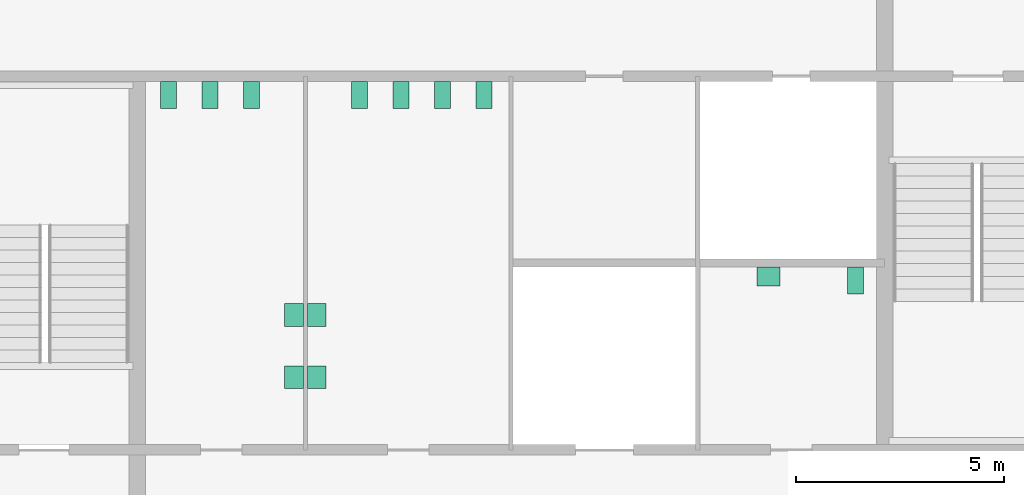
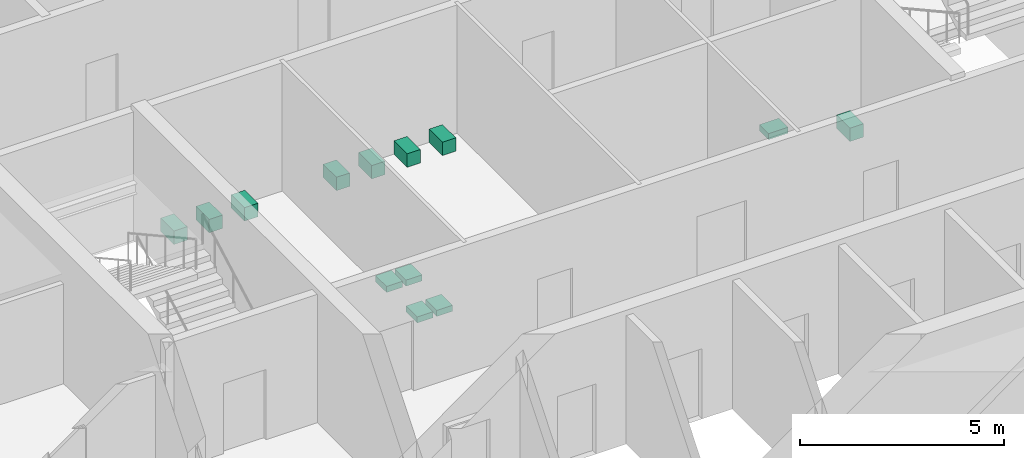
# One storey, part 12 of 12: 13 sanitary terminals.
"""IFC4 building model written with IfcOpenShell, lengths in metres."""

import ifcopenshell
import ifcopenshell.guid

model = None  # the IFC model being written
_history = None  # IfcOwnerHistory: only IFC2X3 demands one
_inside = {}  # id of a spatial element -> (the spatial element, [elements in it])
_under = {}  # id of a project, library or spatial element -> (it, [spatial elements below it])
_declared = {}  # id of a project -> (the project, [libraries it declares])
_typed = {}  # id of a type object -> (the type object, [elements of that type])
_made_of = {}  # id of a material, layer set ... -> (it, [elements and type objects made of it])


def new_model(schema):
    """Start an empty IFC model of exactly this schema.

    Asked for "IFC4X3", IfcOpenShell would pick the latest addendum, in which some entities
    have other attributes; the version numbers below select the first issue.
    IFC2X3 requires an IfcOwnerHistory on every rooted entity: one is made here for all.
    """
    global model, _history
    if schema == "IFC4X3":
        model = ifcopenshell.file(schema_version=(4, 3, 0, 0))
    else:
        model = ifcopenshell.file(schema=schema)
    _inside.clear()
    _under.clear()
    _declared.clear()
    _typed.clear()
    _made_of.clear()
    _history = None
    if model.schema == "IFC2X3":
        org = make("IfcOrganization", Name="unknown")
        user = make(
            "IfcPersonAndOrganization",
            ThePerson=make("IfcPerson", FamilyName="unknown"),
            TheOrganization=org,
        )
        app = make(
            "IfcApplication",
            ApplicationDeveloper=org,
            Version="unknown",
            ApplicationFullName="unknown",
            ApplicationIdentifier="unknown",
        )
        _history = make(
            "IfcOwnerHistory",
            OwningUser=user,
            OwningApplication=app,
            ChangeAction="ADDED",
            CreationDate=0,
        )
    return model


def make(cls, **values):
    """One entity of the class cls with the attributes given. An attribute that is None is left unset."""
    return model.create_entity(
        cls, **{name: value for name, value in values.items() if value is not None}
    )


def rooted(cls, **values):
    """An entity with a GlobalId (a new one), such as an element, a storey or a relation."""
    return make(cls, GlobalId=ifcopenshell.guid.new(), OwnerHistory=_history, **values)


def si_unit(unit_type, name, prefix=None):
    """IfcSIUnit, for example si_unit("LENGTHUNIT", "METRE", prefix="MILLI")."""
    return make("IfcSIUnit", UnitType=unit_type, Prefix=prefix, Name=name)


def assignment(units):
    """IfcUnitAssignment: the units of a project."""
    return None if units is None else make("IfcUnitAssignment", Units=units)


def point(xyz):
    """IfcCartesianPoint."""
    return None if xyz is None else make("IfcCartesianPoint", Coordinates=xyz)


def direction(xyz):
    """IfcDirection."""
    return None if xyz is None else make("IfcDirection", DirectionRatios=xyz)


def frame(location, z_axis=None, x_axis=None):
    """IfcAxis2Placement3D, a coordinate frame: its origin and axes. An axis left out is left unset."""
    return make(
        "IfcAxis2Placement3D",
        Location=point(location),
        Axis=direction(z_axis),
        RefDirection=direction(x_axis),
    )


def frame_2d(location, x_axis=None):
    """IfcAxis2Placement2D, a coordinate frame in the plane: its origin and x axis."""
    return make(
        "IfcAxis2Placement2D", Location=point(location), RefDirection=direction(x_axis)
    )


def origin():
    """The frame at (0, 0, 0) with its axes left unset."""
    return frame((0.0, 0.0, 0.0))


def origin_2d():
    """The frame at (0, 0) in the plane with its x axis left unset."""
    return frame_2d((0.0, 0.0))


def place(relative_to, where):
    """IfcLocalPlacement: puts the frame where relative to a parent placement (None: the world)."""
    return make(
        "IfcLocalPlacement", PlacementRelTo=relative_to, RelativePlacement=where
    )


def context(
    kind, dimensions, precision=None, world=None, true_north=None, identifier=None
):
    """IfcGeometricRepresentationContext, for example the 3D "Model" context."""
    return make(
        "IfcGeometricRepresentationContext",
        ContextIdentifier=identifier,
        ContextType=kind,
        CoordinateSpaceDimension=dimensions,
        Precision=precision,
        WorldCoordinateSystem=world,
        TrueNorth=true_north,
    )


def subcontext(parent, identifier, kind, view, scale=None):
    """IfcGeometricRepresentationSubContext, for example "Body" below "Model"."""
    return make(
        "IfcGeometricRepresentationSubContext",
        ContextIdentifier=identifier,
        ContextType=kind,
        ParentContext=parent,
        TargetScale=scale,
        TargetView=view,
    )


def project(units=None, contexts=None):
    """IfcProject with its units and contexts."""
    return rooted(
        "IfcProject",
        Name="project",
        RepresentationContexts=contexts,
        UnitsInContext=assignment(units),
    )


def spatial(cls, under=None, at=None, **own):
    """A site, building, storey or space (cls), placed at a placement, below another one or the project."""
    s = rooted(cls, ObjectPlacement=at, **own)
    if under is not None:
        _under.setdefault(under.id(), (under, []))[1].append(s)
    return s


def profile(cls, at=None, kind="AREA", **sizes):
    """A parametric profile (cls). Its sizes go by their IFC names, for example OverallWidth=200.0."""
    return make(cls, ProfileType=kind, Position=at, **sizes)


def rectangle(**sizes):
    """IfcRectangleProfileDef."""
    return profile("IfcRectangleProfileDef", **sizes)


def extrude(swept, where, along, depth):
    """IfcExtrudedAreaSolid: the profile swept, set in the frame where, extruded along a direction by depth."""
    return make(
        "IfcExtrudedAreaSolid",
        SweptArea=swept,
        Position=where,
        ExtrudedDirection=direction(along),
        Depth=depth,
    )


def shape(context_of_items, identifier, shape_type, items):
    """IfcShapeRepresentation: the items that make up one representation, for example the "Body"."""
    return make(
        "IfcShapeRepresentation",
        ContextOfItems=context_of_items,
        RepresentationIdentifier=identifier,
        RepresentationType=shape_type,
        Items=items,
    )


def material(Name=None, Category=None):
    """IfcMaterial."""
    return make("IfcMaterial", Name=Name, Category=Category)


def made_of(thing, what):
    """Note that an element or type object is made of a material, layer set ...; save() writes the relation."""
    if what is not None:
        _made_of.setdefault(what.id(), (what, []))[1].append(thing)
    return thing


def type_object(cls, material=None, **own):
    """A type object (cls), such as IfcWallType, which elements share."""
    return made_of(rooted(cls, **own), material)


def element(
    cls,
    number,
    at=None,
    inside=None,
    cuts=None,
    type_object=None,
    material=None,
    context=None,
    identifier="Body",
    shape_type=None,
    held_by="IfcProductDefinitionShape",
    body=None,
    shapes=None,
    **own,
):
    """One element of the class cls, such as IfcWall. Its Tag is "e" and its number.

    at: its placement. inside: the storey or other place that contains it. cuts: it is an
    opening in that element (IfcRelVoidsElement). A single representation is given by context,
    identifier, shape_type and body (its items); several are given by shapes. held_by: the class
    of the entity that holds the representations. save() writes the other relations.
    """
    e = rooted(cls, Tag="e%d" % number, ObjectPlacement=at, **own)
    if body is not None:
        shapes = [shape(context, identifier, shape_type, body)]
    if shapes is not None:
        e.Representation = make(held_by, Representations=shapes)
    if inside is not None:
        _inside.setdefault(inside.id(), (inside, []))[1].append(e)
    if cuts is not None:
        rooted(
            "IfcRelVoidsElement", RelatingBuildingElement=cuts, RelatedOpeningElement=e
        )
    if type_object is not None:
        _typed.setdefault(type_object.id(), (type_object, []))[1].append(e)
    return made_of(e, material)


def aggregate(whole, parts):
    """IfcRelAggregates: a whole, such as a stair, and the parts it consists of."""
    return rooted("IfcRelAggregates", RelatingObject=whole, RelatedObjects=parts)


def save(model, path):
    """Write the relations noted so far, then the file.

    IfcRelAggregates (storeys below a building ...), IfcRelContainedInSpatialStructure (elements
    in a storey), IfcRelDefinesByType, IfcRelAssociatesMaterial and IfcRelDeclares: one each for
    every whole, place, type object, material and project.
    """
    for whole, parts in _under.values():
        aggregate(whole, parts)
    for where, things in _inside.values():
        rooted(
            "IfcRelContainedInSpatialStructure",
            RelatedElements=things,
            RelatingStructure=where,
        )
    for kind, things in _typed.values():
        rooted("IfcRelDefinesByType", RelatedObjects=things, RelatingType=kind)
    for what, things in _made_of.values():
        rooted("IfcRelAssociatesMaterial", RelatedObjects=things, RelatingMaterial=what)
    for by, libraries in _declared.values():
        rooted("IfcRelDeclares", RelatingContext=by, RelatedDefinitions=libraries)
    model.write(path)


model = new_model("IFC4")

# Units and contexts
model_context = context("Model", 3, precision=1e-05, world=origin(), true_north=direction((0.0, 1.0)))
body_context = subcontext(model_context, "Body", "Model", "MODEL_VIEW")
ifc_project = project(units=[si_unit("LENGTHUNIT", "METRE"), si_unit("AREAUNIT", "SQUARE_METRE"), si_unit("VOLUMEUNIT", "CUBIC_METRE"), si_unit("PLANEANGLEUNIT", "RADIAN"), si_unit("MASSUNIT", "GRAM", prefix="KILO")], contexts=[model_context])

# Site, building, storey
site_placement = place(None, origin())
site = spatial("IfcSite", under=ifc_project, at=site_placement, CompositionType="ELEMENT")
building_placement = place(site_placement, origin())
building = spatial("IfcBuilding", under=site, at=building_placement, Name="Corais Broadcast Tower", CompositionType="ELEMENT")
storey_placement = place(building_placement, frame((0.0, 0.0, 147.60009765625)))
storey = spatial("IfcBuildingStorey", under=building, at=storey_placement, Name="L33", CompositionType="ELEMENT", Elevation=147.60009765625)

# Sanitary terminals
ifc_material_1 = material(Name="Vitreous china", Category="ceramic")
sanitary_terminal_type_1 = type_object("IfcSanitaryTerminalType", Name="WC pan 380x650", PredefinedType="TOILETPAN", material=ifc_material_1)
for number, where, z_axis, x_axis, name in (
    (1, (18.75, 31.050048828125, 0.0), (0.0, 0.0, 1.0), (1.0, 0.0, 0.0), "SW1 WC pan, male toilets L33"),
    (2, (19.75, 31.050048828125, 0.0), (0.0, 0.0, 1.0), (1.0, 0.0, 0.0), "SW1 WC pan, male toilets L33"),
    (3, (20.75, 31.050048828125, 0.0), (0.0, 0.0, 1.0), (1.0, 0.0, 0.0), "SW1 WC pan, male toilets L33"),
    (4, (23.35009765625, 31.050048828125, 0.0), (0.0, 0.0, 1.0), (1.0, 0.0, 0.0), "SW1 WC pan, female toilets L33"),
    (5, (24.35009765625, 31.050048828125, 0.0), (0.0, 0.0, 1.0), (1.0, 0.0, 0.0), "SW1 WC pan, female toilets L33"),
    (6, (25.35009765625, 31.050048828125, 0.0), (0.0, 0.0, 1.0), (1.0, 0.0, 0.0), "SW1 WC pan, female toilets L33"),
    (7, (26.35009765625, 31.050048828125, 0.0), (0.0, 0.0, 1.0), (1.0, 0.0, 0.0), "SW1 WC pan, female toilets L33"),
    (8, (35.300048828125, 26.574951171875, 0.0), (0.0, 0.0, 1.0), (1.0, 0.0, 0.0), "SW1 WC pan, accessible WC L33"),
):
    element("IfcSanitaryTerminal", number, at=place(storey_placement, frame(where, z_axis=z_axis, x_axis=x_axis)), inside=storey, type_object=sanitary_terminal_type_1, Name=name, PredefinedType="TOILETPAN", context=body_context, shape_type="SweptSolid", body=[
        extrude(rectangle(XDim=0.3798828125, YDim=0.64990234375, at=origin_2d()), origin(), (0.0, 0.0, 1.0), 0.39990234375),
    ])
ifc_material_2 = material(Name="Vitreous china", Category="ceramic")
sanitary_terminal_type_2 = type_object("IfcSanitaryTerminalType", Name="Wash basin 550x450", PredefinedType="WASHHANDBASIN", material=ifc_material_2)
for number, where, z_axis, x_axis, name in (
    (9, (21.77490234375, 24.25, 0.69970703125), (0.0, 0.0, 1.0), (1.0, 0.0, 0.0), "WB1 wash basin, male toilets L33"),
    (10, (21.77490234375, 25.75, 0.69970703125), (0.0, 0.0, 1.0), (1.0, 0.0, 0.0), "WB1 wash basin, male toilets L33"),
    (11, (22.324951171875, 24.25, 0.69970703125), (0.0, 0.0, 1.0), (1.0, 0.0, 0.0), "WB1 wash basin, female toilets L33"),
    (12, (22.324951171875, 25.75, 0.69970703125), (0.0, 0.0, 1.0), (1.0, 0.0, 0.0), "WB1 wash basin, female toilets L33"),
):
    element("IfcSanitaryTerminal", number, at=place(storey_placement, frame(where, z_axis=z_axis, x_axis=x_axis)), inside=storey, type_object=sanitary_terminal_type_2, Name=name, PredefinedType="WASHHANDBASIN", context=body_context, shape_type="SweptSolid", body=[
        extrude(rectangle(XDim=0.449951171875, YDim=0.550048828125, at=origin_2d()), origin(), (0.0, 0.0, 1.0), 0.179931640625),
    ])
sanitary_terminal_placement = place(storey_placement, frame((33.199951171875, 26.675048828125, 0.69970703125), z_axis=(0.0, 0.0, 1.0), x_axis=(1.0, 0.0, 0.0)))
element("IfcSanitaryTerminal", 13, at=sanitary_terminal_placement, inside=storey, type_object=sanitary_terminal_type_2, Name="WB1 wash basin, accessible WC L33", PredefinedType="WASHHANDBASIN", context=body_context, shape_type="SweptSolid", body=[
    extrude(rectangle(XDim=0.550048828125, YDim=0.449951171875, at=origin_2d()), origin(), (0.0, 0.0, 1.0), 0.179931640625),
])

save(model, "model.ifc")
